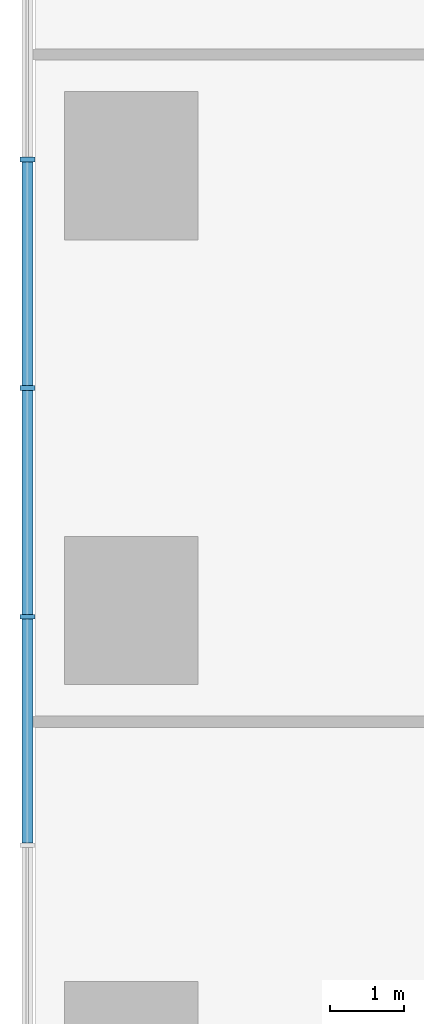
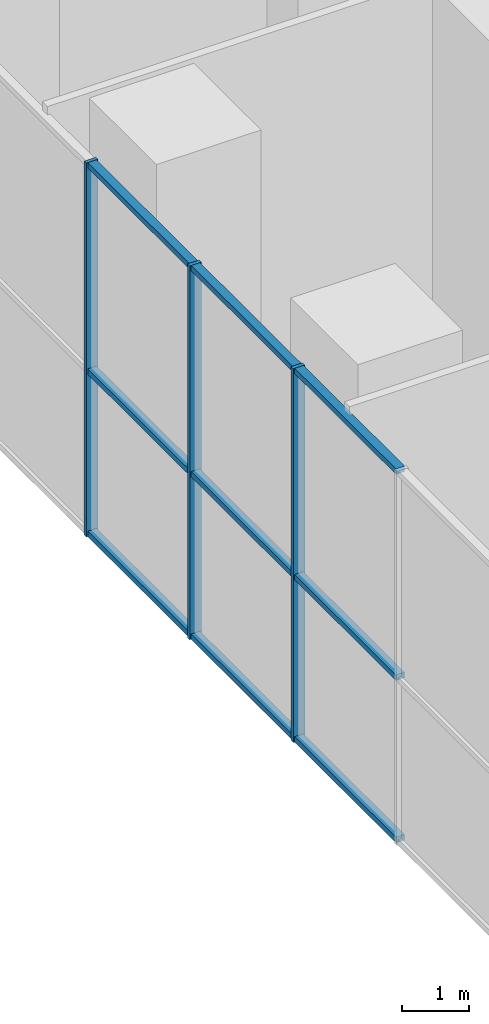
# One storey, part 3 of 16: 12 members, 1 element without a shape of its own.
"""IFC4 building model written with IfcOpenShell, lengths in metres."""

from ifc_helpers import new_model, si_unit, direction, frame, origin, origin_2d, place, context, subcontext, project, spatial, rectangle, extrude, material, layer, layer_set, material_profile, profile_set, type_object, element, aggregate, save


model = new_model("IFC4")

# Units and contexts
model_context = context("Model", 3, precision=1e-05, world=origin(), true_north=direction((0.0, 1.0)))
body_context = subcontext(model_context, "Body", "Model", "MODEL_VIEW")
ifc_project = project(units=[si_unit("LENGTHUNIT", "METRE"), si_unit("AREAUNIT", "SQUARE_METRE"), si_unit("VOLUMEUNIT", "CUBIC_METRE"), si_unit("PLANEANGLEUNIT", "RADIAN"), si_unit("MASSUNIT", "GRAM", prefix="KILO")], contexts=[model_context])

# Site, building, storey
site_placement = place(None, origin())
site = spatial("IfcSite", under=ifc_project, at=site_placement, CompositionType="ELEMENT")
building_placement = place(site_placement, origin())
building = spatial("IfcBuilding", under=site, at=building_placement, Name="Highveld Stack Headquarters", CompositionType="ELEMENT")
storey_placement = place(building_placement, frame((0.0, 0.0, 11.0)))
storey = spatial("IfcBuildingStorey", under=building, at=storey_placement, Name="L02", CompositionType="ELEMENT", Elevation=11.0)

# Curtain wall, members
ifc_material_1 = material(Name="Aluminium bronze anodised", Category="aluminium")
ifc_layer = layer(ifc_material_1, 0.199951171875)
ifc_layer_set = layer_set([ifc_layer], Name="Aluminium bronze anodised")
curtain_wall_type = type_object("IfcCurtainWallType", Name="CW3 PODIUM STICK CURTAIN WALL", PredefinedType="NOTDEFINED", material=ifc_layer_set)
curtain_wall_placement = place(storey_placement, origin())
curtain_wall = element("IfcCurtainWall", 1, at=curtain_wall_placement, inside=storey, type_object=curtain_wall_type, Name="Curtain wall CW3 L02 W", PredefinedType="NOTDEFINED")
ifc_material_2 = material(Name="Aluminium bronze anodised", Category="aluminium")
ifc_material_profile_1 = material_profile(ifc_material_2, rectangle(XDim=0.199951171875, YDim=0.06494140625, at=origin_2d()), Name="CW3 MULLION 65x200")
ifc_profile_set_1 = profile_set([ifc_material_profile_1], Name="Aluminium bronze anodised")
member_type_1 = type_object("IfcMemberType", Name="CW3 MULLION 65x200", PredefinedType="MULLION", material=ifc_profile_set_1)
member_1_placement = place(storey_placement, frame((-31.39990234375, 6.082763671875, 0.0), z_axis=(0.0, 0.0, 1.0), x_axis=(1.0, 0.0, 0.0)))
member_1 = element("IfcMember", 2, at=member_1_placement, type_object=member_type_1, Name="CW3 mullion L02 7", PredefinedType="MULLION", context=body_context, shape_type="SweptSolid", body=[
    extrude(rectangle(XDim=0.199951171875, YDim=0.06494140625, at=origin_2d()), origin(), (0.0, 0.0, 1.0), 6.800048828125),
])
member_2_placement = place(storey_placement, frame((-31.39990234375, 3.0, 0.0), z_axis=(0.0, 0.0, 1.0), x_axis=(1.0, 0.0, 0.0)))
member_2 = element("IfcMember", 3, at=member_2_placement, type_object=member_type_1, Name="CW3 mullion L02 8", PredefinedType="MULLION", context=body_context, shape_type="SweptSolid", body=[
    extrude(rectangle(XDim=0.199951171875, YDim=0.06494140625, at=origin_2d()), origin(), (0.0, 0.0, 1.0), 6.800048828125),
])
member_3_placement = place(storey_placement, frame((-31.39990234375, -0.082763671875, 0.0), z_axis=(0.0, 0.0, 1.0), x_axis=(1.0, 0.0, 0.0)))
member_3 = element("IfcMember", 4, at=member_3_placement, type_object=member_type_1, Name="CW3 mullion L02 9", PredefinedType="MULLION", context=body_context, shape_type="SweptSolid", body=[
    extrude(rectangle(XDim=0.199951171875, YDim=0.06494140625, at=origin_2d()), origin(), (0.0, 0.0, 1.0), 6.800048828125),
])
ifc_material_3 = material(Name="Aluminium bronze anodised", Category="aluminium")
ifc_material_profile_2 = material_profile(ifc_material_3, rectangle(XDim=0.14990234375, YDim=0.10009765625, at=origin_2d()), Name="CW3 TRANSOM 150x100")
ifc_profile_set_2 = profile_set([ifc_material_profile_2], Name="Aluminium bronze anodised")
member_type_2 = type_object("IfcMemberType", Name="CW3 STACK TRANSOM 150x100", PredefinedType="USERDEFINED", material=ifc_profile_set_2)
member_4_placement = place(storey_placement, frame((-31.39990234375, 6.05029296875, 0.050048828125), z_axis=(0.0, -1.0, 0.0), x_axis=(1.0, 0.0, 0.0)))
member_4 = element("IfcMember", 5, at=member_4_placement, type_object=member_type_2, Name="CW3 transom L02 7.1", ObjectType="TRANSOM", PredefinedType="USERDEFINED", context=body_context, shape_type="SweptSolid", body=[
    extrude(rectangle(XDim=0.14990234375, YDim=0.10009765625, at=origin_2d()), origin(), (0.0, 0.0, 1.0), 3.017822265625),
])
member_5_placement = place(storey_placement, frame((-31.39990234375, 6.05029296875, 3.0), z_axis=(0.0, -1.0, 0.0), x_axis=(1.0, 0.0, 0.0)))
member_5 = element("IfcMember", 6, at=member_5_placement, type_object=member_type_2, Name="CW3 transom L02 7.2", ObjectType="TRANSOM", PredefinedType="USERDEFINED", context=body_context, shape_type="SweptSolid", body=[
    extrude(rectangle(XDim=0.14990234375, YDim=0.10009765625, at=origin_2d()), origin(), (0.0, 0.0, 1.0), 3.017822265625),
])
member_6_placement = place(storey_placement, frame((-31.39990234375, 6.05029296875, 6.75), z_axis=(0.0, -1.0, 0.0), x_axis=(1.0, 0.0, 0.0)))
member_6 = element("IfcMember", 7, at=member_6_placement, type_object=member_type_2, Name="CW3 transom L02 7.3", ObjectType="TRANSOM", PredefinedType="USERDEFINED", context=body_context, shape_type="SweptSolid", body=[
    extrude(rectangle(XDim=0.14990234375, YDim=0.10009765625, at=origin_2d()), origin(), (0.0, 0.0, 1.0), 3.017822265625),
])
member_7_placement = place(storey_placement, frame((-31.39990234375, 2.967529296875, 0.050048828125), z_axis=(0.0, -1.0, 0.0), x_axis=(1.0, 0.0, 0.0)))
member_7 = element("IfcMember", 8, at=member_7_placement, type_object=member_type_2, Name="CW3 transom L02 8.1", ObjectType="TRANSOM", PredefinedType="USERDEFINED", context=body_context, shape_type="SweptSolid", body=[
    extrude(rectangle(XDim=0.14990234375, YDim=0.10009765625, at=origin_2d()), origin(), (0.0, 0.0, 1.0), 3.017822265625),
])
member_8_placement = place(storey_placement, frame((-31.39990234375, 2.967529296875, 3.0), z_axis=(0.0, -1.0, 0.0), x_axis=(1.0, 0.0, 0.0)))
member_8 = element("IfcMember", 9, at=member_8_placement, type_object=member_type_2, Name="CW3 transom L02 8.2", ObjectType="TRANSOM", PredefinedType="USERDEFINED", context=body_context, shape_type="SweptSolid", body=[
    extrude(rectangle(XDim=0.14990234375, YDim=0.10009765625, at=origin_2d()), origin(), (0.0, 0.0, 1.0), 3.017822265625),
])
member_9_placement = place(storey_placement, frame((-31.39990234375, 2.967529296875, 6.75), z_axis=(0.0, -1.0, 0.0), x_axis=(1.0, 0.0, 0.0)))
member_9 = element("IfcMember", 10, at=member_9_placement, type_object=member_type_2, Name="CW3 transom L02 8.3", ObjectType="TRANSOM", PredefinedType="USERDEFINED", context=body_context, shape_type="SweptSolid", body=[
    extrude(rectangle(XDim=0.14990234375, YDim=0.10009765625, at=origin_2d()), origin(), (0.0, 0.0, 1.0), 3.017822265625),
])
member_10_placement = place(storey_placement, frame((-31.39990234375, -0.115234375, 0.050048828125), z_axis=(0.0, -1.0, 0.0), x_axis=(1.0, 0.0, 0.0)))
member_10 = element("IfcMember", 11, at=member_10_placement, type_object=member_type_2, Name="CW3 transom L02 9.1", ObjectType="TRANSOM", PredefinedType="USERDEFINED", context=body_context, shape_type="SweptSolid", body=[
    extrude(rectangle(XDim=0.14990234375, YDim=0.10009765625, at=origin_2d()), origin(), (0.0, 0.0, 1.0), 3.01806640625),
])
member_11_placement = place(storey_placement, frame((-31.39990234375, -0.115234375, 3.0), z_axis=(0.0, -1.0, 0.0), x_axis=(1.0, 0.0, 0.0)))
member_11 = element("IfcMember", 12, at=member_11_placement, type_object=member_type_2, Name="CW3 transom L02 9.2", ObjectType="TRANSOM", PredefinedType="USERDEFINED", context=body_context, shape_type="SweptSolid", body=[
    extrude(rectangle(XDim=0.14990234375, YDim=0.10009765625, at=origin_2d()), origin(), (0.0, 0.0, 1.0), 3.01806640625),
])
member_12_placement = place(storey_placement, frame((-31.39990234375, -0.115234375, 6.75), z_axis=(0.0, -1.0, 0.0), x_axis=(1.0, 0.0, 0.0)))
member_12 = element("IfcMember", 13, at=member_12_placement, type_object=member_type_2, Name="CW3 transom L02 9.3", ObjectType="TRANSOM", PredefinedType="USERDEFINED", context=body_context, shape_type="SweptSolid", body=[
    extrude(rectangle(XDim=0.14990234375, YDim=0.10009765625, at=origin_2d()), origin(), (0.0, 0.0, 1.0), 3.01806640625),
])
aggregate(curtain_wall, [member_1, member_2, member_3, member_4, member_5, member_6, member_7, member_8, member_9, member_10, member_11, member_12])

save(model, "model.ifc")
